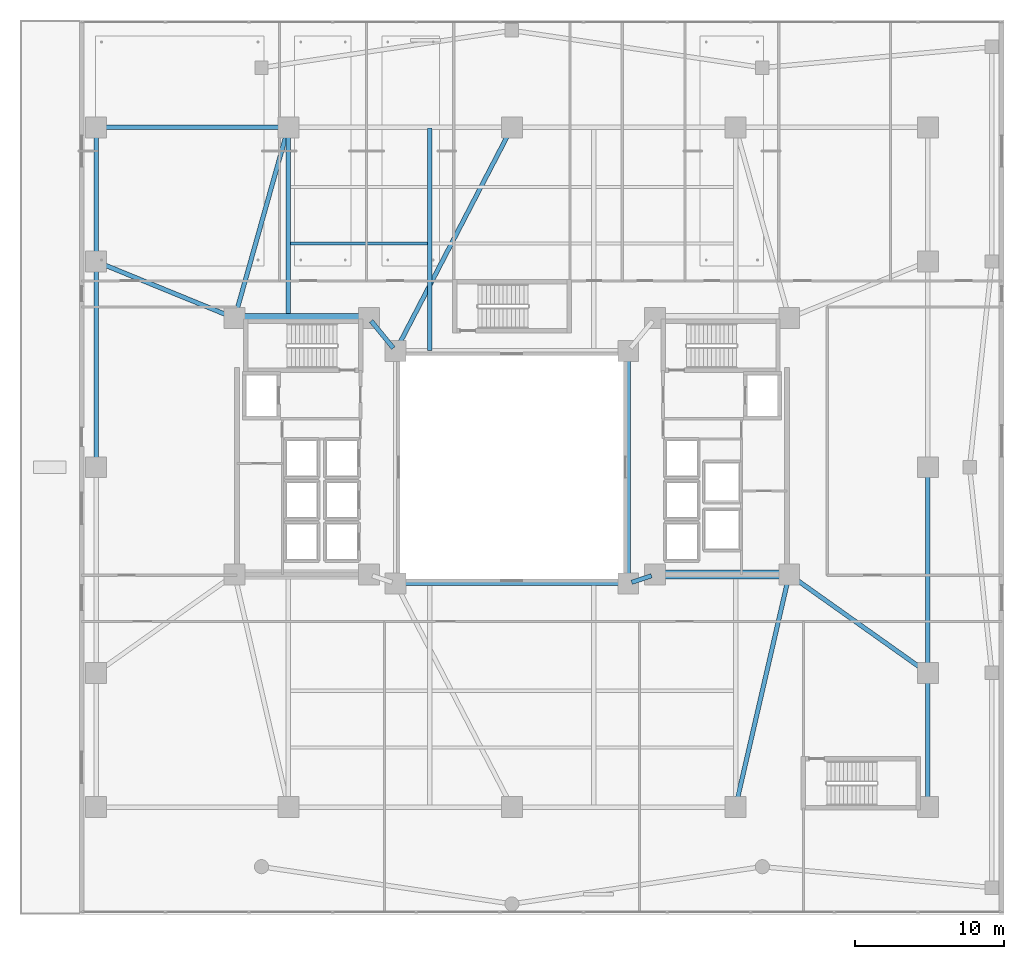
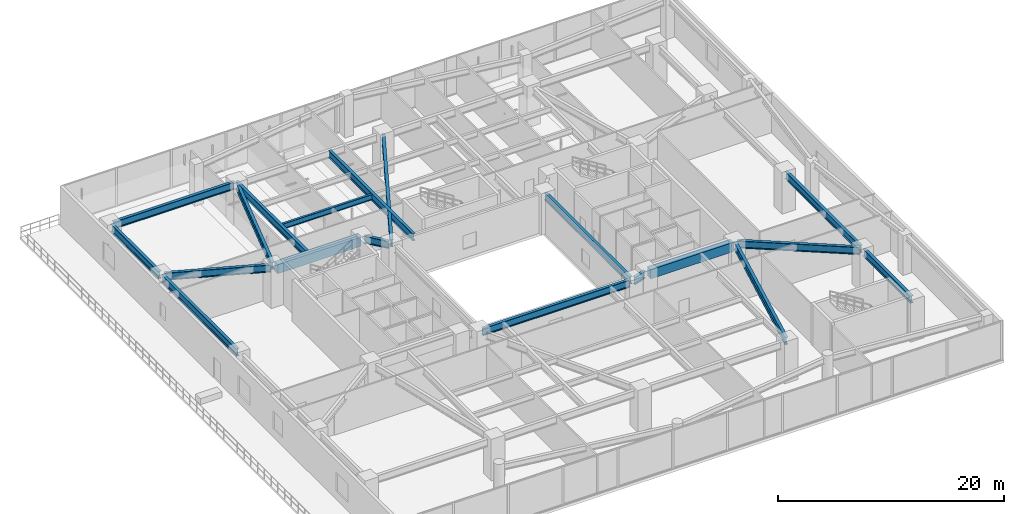
# One storey, part 8 of 29: 19 beams.
"""IFC4 building model written with IfcOpenShell, lengths in metres."""

from ifc_helpers import new_model, si_unit, direction, frame, origin, origin_2d, place, context, subcontext, project, spatial, rectangle, i_section, extrude, material, material_profile, profile_set, type_object, element, save


model = new_model("IFC4")

# Units and contexts
model_context = context("Model", 3, precision=1e-05, world=origin(), true_north=direction((0.0, 1.0)))
body_context = subcontext(model_context, "Body", "Model", "MODEL_VIEW")
ifc_project = project(units=[si_unit("LENGTHUNIT", "METRE"), si_unit("AREAUNIT", "SQUARE_METRE"), si_unit("VOLUMEUNIT", "CUBIC_METRE"), si_unit("PLANEANGLEUNIT", "RADIAN"), si_unit("MASSUNIT", "GRAM", prefix="KILO")], contexts=[model_context])

# Site, building, storey
site_placement = place(None, origin())
site = spatial("IfcSite", under=ifc_project, at=site_placement, CompositionType="ELEMENT")
building_placement = place(site_placement, origin())
building = spatial("IfcBuilding", under=site, at=building_placement, Name="Tarnavaz Court Tower", CompositionType="ELEMENT")
storey_placement = place(building_placement, frame((0.0, 0.0, 5.39990234375)))
storey = spatial("IfcBuildingStorey", under=building, at=storey_placement, Name="L01", CompositionType="ELEMENT", Elevation=5.39990234375)

# Beams
ifc_material_1 = material(Name="Concrete C60/75", Category="concrete")
ifc_material_profile_1 = material_profile(ifc_material_1, rectangle(XDim=0.60009765625, YDim=1.0, at=origin_2d()), Name="RC 600X1000")
ifc_profile_set_1 = profile_set([ifc_material_profile_1], Name="Concrete C60/75")
beam_type_1 = type_object("IfcBeamType", Name="BM-CB1000", PredefinedType="LINTEL", material=ifc_profile_set_1)
for number, where, z_axis, x_axis, name in (
    (1, (-18.35009765625, 10.0, 3.7001953125), (1.0, 0.0, 0.0), (0.0, 1.0, 0.0), "L01 Beam CW-NO-CW-NI"),
    (2, (18.35009765625, -7.199951171875, 3.7001953125), (-1.0, 0.0, 0.0), (0.0, -1.0, 0.0), "L01 Beam CE-SO-CE-SI"),
):
    element("IfcBeam", number, at=place(storey_placement, frame(where, z_axis=z_axis, x_axis=x_axis)), inside=storey, type_object=beam_type_1, Name=name, PredefinedType="LINTEL", context=body_context, shape_type="SweptSolid", body=[
        extrude(rectangle(XDim=0.60009765625, YDim=1.0, at=origin_2d()), origin(), (0.0, 0.0, 1.0), 8.5),
    ])
ifc_material_2 = material(Name="Steel S355", Category="steel")
ifc_material_profile_2 = material_profile(ifc_material_2, i_section(OverallWidth=0.300048828125, OverallDepth=0.800048828125, WebThickness=0.017578125, FlangeThickness=0.032958984375, FilletRadius=0.030029296875, at=origin_2d()), Name="HEB 800")
ifc_profile_set_2 = profile_set([ifc_material_profile_2], Name="Steel S355")
beam_type_2 = type_object("IfcBeamType", Name="BM-G-HEB800", PredefinedType="USERDEFINED", material=ifc_profile_set_2)
for number, where, z_axis, x_axis, name in (
    (3, (-7.550048828125, -7.800048828125, 3.800048828125), (1.0, 0.0, 0.0), (0.0, 1.0, 0.0), "L01 Beam IW-SW-IW-SE"),
    (4, (7.800048828125, -7.550048828125, 3.800048828125), (0.0, 1.0, 0.0), (-1.0, 0.0, 0.0), "L01 Beam IW-SE-IW-NE"),
):
    element("IfcBeam", number, at=place(storey_placement, frame(where, z_axis=z_axis, x_axis=x_axis)), inside=storey, type_object=beam_type_2, Name=name, ObjectType="GIRDER", PredefinedType="USERDEFINED", context=body_context, shape_type="SweptSolid", body=[
        extrude(i_section(OverallWidth=0.300048828125, OverallDepth=0.800048828125, WebThickness=0.017578125, FlangeThickness=0.032958984375, FilletRadius=0.030029296875, at=origin_2d()), origin(), (0.0, 0.0, 1.0), 15.10009765625),
    ])
beam_1_placement = place(storey_placement, frame((9.36279296875, -7.279052734375, 3.800048828125), z_axis=(-0.948683298051, -0.316227766017, 0.0), x_axis=(0.316227766017, -0.948683298051, 0.0)))
element("IfcBeam", 5, at=beam_1_placement, inside=storey, type_object=beam_type_2, Name="L01 Beam CE-SI-IW-SE", ObjectType="GIRDER", PredefinedType="USERDEFINED", context=body_context, shape_type="SweptSolid", body=[
    extrude(i_section(OverallWidth=0.300048828125, OverallDepth=0.800048828125, WebThickness=0.017578125, FlangeThickness=0.032958984375, FilletRadius=0.030029296875, at=origin_2d()), origin(), (0.0, 0.0, 1.0), 1.3974609375),
])
beam_2_placement = place(storey_placement, frame((-9.441650390625, 9.806396484375, 3.800048828125), z_axis=(0.633249141033, -0.773948012066, 0.0), x_axis=(0.773948012066, 0.633249141033, 0.0)))
element("IfcBeam", 6, at=beam_2_placement, inside=storey, type_object=beam_type_2, Name="L01 Beam CW-NI-IW-NW", ObjectType="GIRDER", PredefinedType="USERDEFINED", context=body_context, shape_type="SweptSolid", body=[
    extrude(i_section(OverallWidth=0.300048828125, OverallDepth=0.800048828125, WebThickness=0.017578125, FlangeThickness=0.032958984375, FilletRadius=0.030029296875, at=origin_2d()), origin(), (0.0, 0.0, 1.0), 2.342529296875),
])
beam_3_placement = place(storey_placement, frame((-27.64990234375, 22.800048828125, 3.800048828125), z_axis=(1.0, 0.0, 0.0), x_axis=(0.0, 1.0, 0.0)))
element("IfcBeam", 7, at=beam_3_placement, inside=storey, type_object=beam_type_2, Name="L01 Beam PM-PM-NW-PM-N1", ObjectType="GIRDER", PredefinedType="USERDEFINED", context=body_context, shape_type="SweptSolid", body=[
    extrude(i_section(OverallWidth=0.300048828125, OverallDepth=0.800048828125, WebThickness=0.017578125, FlangeThickness=0.032958984375, FilletRadius=0.030029296875, at=origin_2d()), origin(), (0.0, 0.0, 1.0), 12.39990234375),
])
beam_4_placement = place(storey_placement, frame((-27.89990234375, 0.25, 3.800048828125), z_axis=(0.0, 1.0, 0.0), x_axis=(-1.0, 0.0, 0.0)))
element("IfcBeam", 8, at=beam_4_placement, inside=storey, type_object=beam_type_2, Name="L01 Beam PM-PM-W2-PM-W3", ObjectType="GIRDER", PredefinedType="USERDEFINED", context=body_context, shape_type="SweptSolid", body=[
    extrude(i_section(OverallWidth=0.300048828125, OverallDepth=0.800048828125, WebThickness=0.017578125, FlangeThickness=0.032958984375, FilletRadius=0.030029296875, at=origin_2d()), origin(), (0.0, 0.0, 1.0), 13.300048828125),
])
for number, where, z_axis, x_axis, name in (
    (9, (-27.89990234375, 14.050048828125, 3.800048828125), (0.0, 1.0, 0.0), (-1.0, 0.0, 0.0), "L01 Beam PM-PM-W3-PM-NW"),
    (10, (27.89990234375, -22.550048828125, 3.800048828125), (0.0, 1.0, 0.0), (-1.0, 0.0, 0.0), "L01 Beam PM-PM-SE-PM-E1"),
):
    element("IfcBeam", number, at=place(storey_placement, frame(where, z_axis=z_axis, x_axis=x_axis)), inside=storey, type_object=beam_type_2, Name=name, ObjectType="GIRDER", PredefinedType="USERDEFINED", context=body_context, shape_type="SweptSolid", body=[
        extrude(i_section(OverallWidth=0.300048828125, OverallDepth=0.800048828125, WebThickness=0.017578125, FlangeThickness=0.032958984375, FilletRadius=0.030029296875, at=origin_2d()), origin(), (0.0, 0.0, 1.0), 8.5),
    ])
beam_5_placement = place(storey_placement, frame((27.89990234375, -13.550048828125, 3.800048828125), z_axis=(0.0, 1.0, 0.0), x_axis=(-1.0, 0.0, 0.0)))
element("IfcBeam", 11, at=beam_5_placement, inside=storey, type_object=beam_type_2, Name="L01 Beam PM-PM-E1-PM-E2", ObjectType="GIRDER", PredefinedType="USERDEFINED", context=body_context, shape_type="SweptSolid", body=[
    extrude(i_section(OverallWidth=0.300048828125, OverallDepth=0.800048828125, WebThickness=0.017578125, FlangeThickness=0.032958984375, FilletRadius=0.030029296875, at=origin_2d()), origin(), (0.0, 0.0, 1.0), 13.300048828125),
])
beam_6_placement = place(storey_placement, frame((-18.5322265625, 10.24072265625, 3.800048828125), z_axis=(0.270745024415, 0.962651095545, 0.0), x_axis=(-0.962651095545, 0.270745024415, 0.0)))
element("IfcBeam", 12, at=beam_6_placement, inside=storey, type_object=beam_type_2, Name="L01 Beam PM-CW-NO-PM-N1", ObjectType="GIRDER", PredefinedType="USERDEFINED", context=body_context, shape_type="SweptSolid", body=[
    extrude(i_section(OverallWidth=0.300048828125, OverallDepth=0.800048828125, WebThickness=0.017578125, FlangeThickness=0.032958984375, FilletRadius=0.030029296875, at=origin_2d()), origin(), (0.0, 0.0, 1.0), 12.796630859375),
])
beam_7_placement = place(storey_placement, frame((-7.684814453125, 8.021728515625, 3.800048828125), z_axis=(0.461364918236, 0.887210466699, 0.0), x_axis=(-0.887210466699, 0.461364918236, 0.0)))
element("IfcBeam", 13, at=beam_7_placement, inside=storey, type_object=beam_type_2, Name="L01 Beam PM-IW-NW-PM-N2", ObjectType="GIRDER", PredefinedType="USERDEFINED", context=body_context, shape_type="SweptSolid", body=[
    extrude(i_section(OverallWidth=0.300048828125, OverallDepth=0.800048828125, WebThickness=0.017578125, FlangeThickness=0.032958984375, FilletRadius=0.030029296875, at=origin_2d()), origin(), (0.0, 0.0, 1.0), 16.406982421875),
])
beam_8_placement = place(storey_placement, frame((18.543701171875, -7.443603515625, 3.800048828125), z_axis=(-0.224858357084, -0.97439146099, 0.0), x_axis=(0.97439146099, -0.224858357084, 0.0)))
element("IfcBeam", 14, at=beam_8_placement, inside=storey, type_object=beam_type_2, Name="L01 Beam PM-CE-SO-PM-S3", ObjectType="GIRDER", PredefinedType="USERDEFINED", context=body_context, shape_type="SweptSolid", body=[
    extrude(i_section(OverallWidth=0.300048828125, OverallDepth=0.800048828125, WebThickness=0.017578125, FlangeThickness=0.032958984375, FilletRadius=0.030029296875, at=origin_2d()), origin(), (0.0, 0.0, 1.0), 15.510009765625),
])
beam_9_placement = place(storey_placement, frame((-18.831298828125, 10.094482421875, 3.800048828125), z_axis=(-0.925710630755, 0.378232505356, 0.0), x_axis=(-0.378232505356, -0.925710630755, 0.0)))
element("IfcBeam", 15, at=beam_9_placement, inside=storey, type_object=beam_type_2, Name="L01 Beam PM-CW-NO-PM-W3", ObjectType="GIRDER", PredefinedType="USERDEFINED", context=body_context, shape_type="SweptSolid", body=[
    extrude(i_section(OverallWidth=0.300048828125, OverallDepth=0.800048828125, WebThickness=0.017578125, FlangeThickness=0.032958984375, FilletRadius=0.030029296875, at=origin_2d()), origin(), (0.0, 0.0, 1.0), 9.546630859375),
])
beam_10_placement = place(storey_placement, frame((18.803955078125, -7.3447265625, 3.800048828125), z_axis=(0.815505781161, -0.578748927336, 0.0), x_axis=(0.578748927336, 0.815505781161, 0.0)))
element("IfcBeam", 16, at=beam_10_placement, inside=storey, type_object=beam_type_2, Name="L01 Beam PM-CE-SO-PM-E1", ObjectType="GIRDER", PredefinedType="USERDEFINED", context=body_context, shape_type="SweptSolid", body=[
    extrude(i_section(OverallWidth=0.300048828125, OverallDepth=0.800048828125, WebThickness=0.017578125, FlangeThickness=0.032958984375, FilletRadius=0.030029296875, at=origin_2d()), origin(), (0.0, 0.0, 1.0), 10.90380859375),
])
beam_11_placement = place(storey_placement, frame((-15.0, 10.0400390625, 3.800048828125), z_axis=(0.0, 1.0, 0.0), x_axis=(-1.0, 0.0, 0.0)))
element("IfcBeam", 17, at=beam_11_placement, inside=storey, type_object=beam_type_2, Name="L01 Beam PM-NS-NW", ObjectType="GIRDER", PredefinedType="USERDEFINED", context=body_context, shape_type="SweptSolid", body=[
    extrude(i_section(OverallWidth=0.300048828125, OverallDepth=0.800048828125, WebThickness=0.017578125, FlangeThickness=0.032958984375, FilletRadius=0.030029296875, at=origin_2d()), origin(), (0.0, 0.0, 1.0), 12.719970703125),
])
beam_12_placement = place(storey_placement, frame((-5.5, 7.840087890625, 3.800048828125), z_axis=(0.0, 1.0, 0.0), x_axis=(-1.0, 0.0, 0.0)))
element("IfcBeam", 18, at=beam_12_placement, inside=storey, type_object=beam_type_2, Name="L01 Beam PM-NS-NCW", ObjectType="GIRDER", PredefinedType="USERDEFINED", context=body_context, shape_type="SweptSolid", body=[
    extrude(i_section(OverallWidth=0.300048828125, OverallDepth=0.800048828125, WebThickness=0.017578125, FlangeThickness=0.032958984375, FilletRadius=0.030029296875, at=origin_2d()), origin(), (0.0, 0.0, 1.0), 14.919921875),
])
ifc_material_profile_3 = material_profile(ifc_material_2, i_section(OverallWidth=0.219970703125, OverallDepth=0.60009765625, WebThickness=0.011962890625, FlangeThickness=0.01904296875, FilletRadius=0.02392578125, at=origin_2d()), Name="IPE 600")
ifc_profile_set_3 = profile_set([ifc_material_profile_3], Name="Steel S355")
beam_type_3 = type_object("IfcBeamType", Name="BM-J-IPE600", PredefinedType="JOIST", material=ifc_profile_set_3)
beam_13_placement = place(storey_placement, frame((-14.85009765625, 15.0, 3.900146484375), z_axis=(1.0, 0.0, 0.0), x_axis=(0.0, 1.0, 0.0)))
element("IfcBeam", 19, at=beam_13_placement, inside=storey, type_object=beam_type_3, Name="L01 Beam PJN-1-1", PredefinedType="JOIST", context=body_context, shape_type="SweptSolid", body=[
    extrude(i_section(OverallWidth=0.219970703125, OverallDepth=0.60009765625, WebThickness=0.011962890625, FlangeThickness=0.01904296875, FilletRadius=0.02392578125, at=origin_2d()), origin(), (0.0, 0.0, 1.0), 9.2001953125),
])

save(model, "model.ifc")
